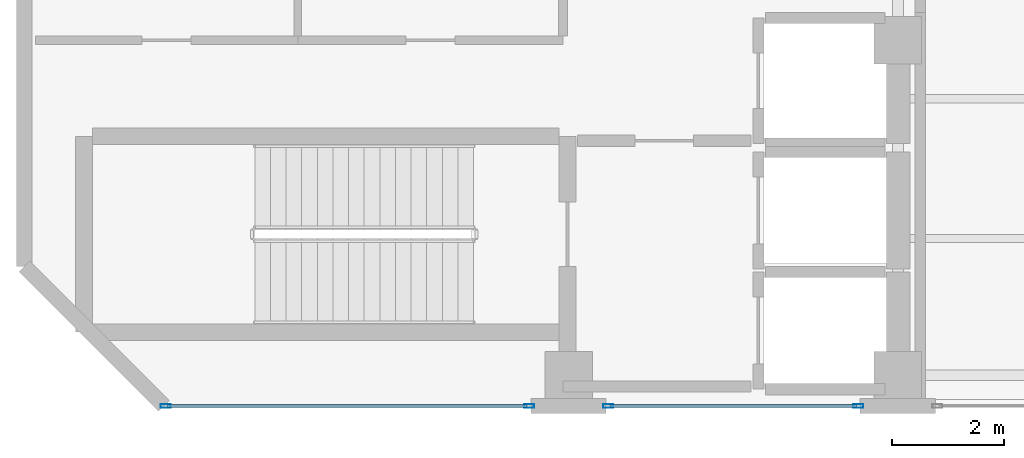
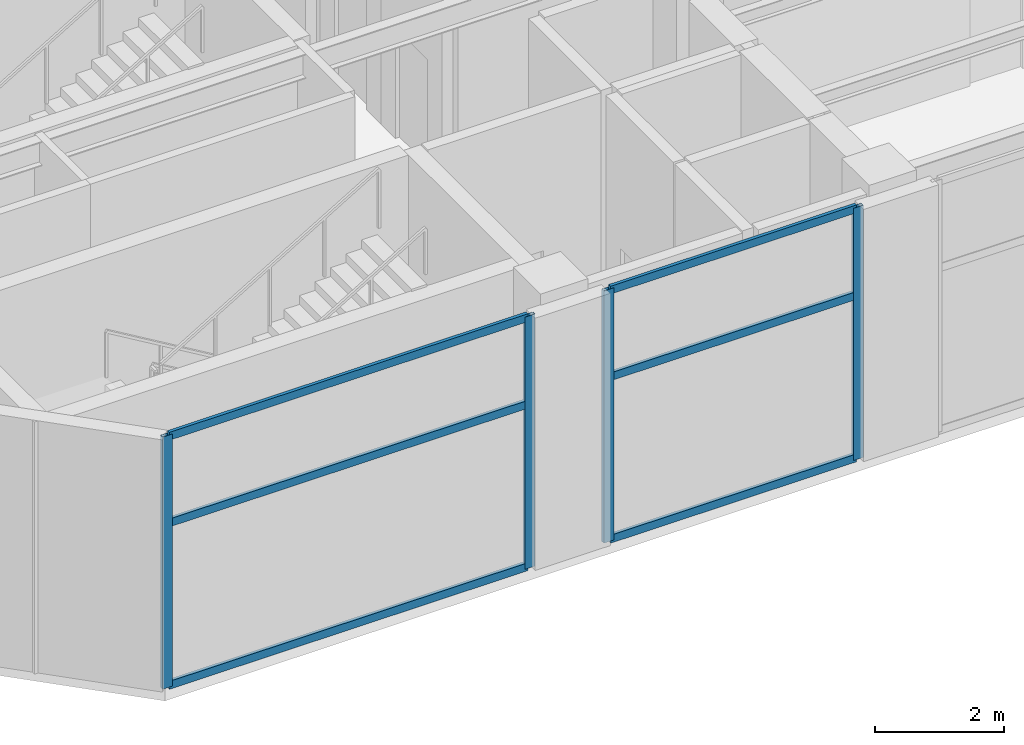
# One storey, part 2 of 14: 10 members, 2 elements without a shape of their own.
"""IFC4 building model written with IfcOpenShell, lengths in metres."""

from ifc_helpers import new_model, si_unit, direction, frame, origin, origin_2d, place, context, subcontext, project, spatial, hollow_rectangle, extrude, material, layer, layer_set, material_profile, profile_set, type_object, element, aggregate, save


model = new_model("IFC4")

# Units and contexts
model_context = context("Model", 3, precision=1e-05, world=origin(), true_north=direction((0.0, 1.0)))
body_context = subcontext(model_context, "Body", "Model", "MODEL_VIEW")
ifc_project = project(units=[si_unit("LENGTHUNIT", "METRE"), si_unit("AREAUNIT", "SQUARE_METRE"), si_unit("VOLUMEUNIT", "CUBIC_METRE"), si_unit("PLANEANGLEUNIT", "RADIAN"), si_unit("MASSUNIT", "GRAM", prefix="KILO")], contexts=[model_context])

# Site, building, storey
site_placement = place(None, origin())
site = spatial("IfcSite", under=ifc_project, at=site_placement, CompositionType="ELEMENT")
building_placement = place(site_placement, origin())
building = spatial("IfcBuilding", under=site, at=building_placement, Name="Mawjaban Terraces University", CompositionType="ELEMENT")
storey_placement = place(building_placement, frame((0.0, 0.0, 243.199951171875)))
storey = spatial("IfcBuildingStorey", under=building, at=storey_placement, Name="L59", CompositionType="ELEMENT", Elevation=243.199951171875)

# Curtain wall, members
ifc_material_1 = material(Name="Anodised aluminium 6063-T6 and solar-control low-E glass", Category="aluminium")
ifc_layer = layer(ifc_material_1, 0.18994140625)
ifc_layer_set = layer_set([ifc_layer], Name="Anodised aluminium 6063-T6 and solar-control low-E glass")
curtain_wall_type = type_object("IfcCurtainWallType", Name="CWSystem_05_SkyLobby", PredefinedType="NOTDEFINED", material=ifc_layer_set)
curtain_wall_1_placement = place(storey_placement, origin())
curtain_wall_1 = element("IfcCurtainWall", 1, at=curtain_wall_1_placement, inside=storey, type_object=curtain_wall_type, Name="L59 Curtain Wall CW-05 Run 1.1", PredefinedType="NOTDEFINED")
ifc_material_2 = material(Name="Anodised aluminium 6063-T6", Category="aluminium")
ifc_material_profile_1 = material_profile(ifc_material_2, hollow_rectangle(XDim=0.06494140625, YDim=0.179931640625, WallThickness=0.00390625, at=origin_2d()), Name="ALU180X65X4")
ifc_profile_set_1 = profile_set([ifc_material_profile_1], Name="Anodised aluminium 6063-T6")
member_type_1 = type_object("IfcMemberType", Name="Mullion_CW-05", PredefinedType="MULLION", material=ifc_profile_set_1)
member_1_placement = place(storey_placement, frame((24.532470703125, 0.0, 0.0), z_axis=(0.0, 0.0, 1.0), x_axis=(0.0, 1.0, 0.0)))
member_1 = element("IfcMember", 2, at=member_1_placement, type_object=member_type_1, Name="CW-05 mullion 1", PredefinedType="MULLION", context=body_context, shape_type="SweptSolid", body=[
    extrude(hollow_rectangle(XDim=0.06494140625, YDim=0.179931640625, WallThickness=0.00390625, at=origin_2d()), origin(), (0.0, 0.0, 1.0), 4.7900390625),
])
member_2_placement = place(storey_placement, frame((31.04248046875, 0.0, 0.0), z_axis=(0.0, 0.0, 1.0), x_axis=(0.0, 1.0, 0.0)))
member_2 = element("IfcMember", 3, at=member_2_placement, type_object=member_type_1, Name="CW-05 mullion 2", PredefinedType="MULLION", context=body_context, shape_type="SweptSolid", body=[
    extrude(hollow_rectangle(XDim=0.06494140625, YDim=0.179931640625, WallThickness=0.00390625, at=origin_2d()), origin(), (0.0, 0.0, 1.0), 4.7900390625),
])

curtain_wall_2_placement = place(storey_placement, origin())
curtain_wall_2 = element("IfcCurtainWall", 4, at=curtain_wall_2_placement, inside=storey, type_object=curtain_wall_type, Name="L59 Curtain Wall CW-05 Run 1.2", PredefinedType="NOTDEFINED")
member_3_placement = place(storey_placement, frame((32.45751953125, 0.0, 0.0), z_axis=(0.0, 0.0, 1.0), x_axis=(0.0, 1.0, 0.0)))
member_3 = element("IfcMember", 5, at=member_3_placement, type_object=member_type_1, Name="CW-05 mullion 1", PredefinedType="MULLION", context=body_context, shape_type="SweptSolid", body=[
    extrude(hollow_rectangle(XDim=0.06494140625, YDim=0.179931640625, WallThickness=0.00390625, at=origin_2d()), origin(), (0.0, 0.0, 1.0), 4.7900390625),
])
member_4_placement = place(storey_placement, frame((36.9423828125, 0.0, 0.0), z_axis=(0.0, 0.0, 1.0), x_axis=(0.0, 1.0, 0.0)))
member_4 = element("IfcMember", 6, at=member_4_placement, type_object=member_type_1, Name="CW-05 mullion 2", PredefinedType="MULLION", context=body_context, shape_type="SweptSolid", body=[
    extrude(hollow_rectangle(XDim=0.06494140625, YDim=0.179931640625, WallThickness=0.00390625, at=origin_2d()), origin(), (0.0, 0.0, 1.0), 4.7900390625),
])

# Member
ifc_material_profile_2 = material_profile(ifc_material_2, hollow_rectangle(XDim=0.06005859375, YDim=0.14990234375, WallThickness=0.00390625, at=origin_2d()), Name="ALU150X60X4")
ifc_profile_set_2 = profile_set([ifc_material_profile_2], Name="Anodised aluminium 6063-T6")
member_type_2 = type_object("IfcMemberType", Name="Transom_CW-05", PredefinedType="NOTDEFINED", material=ifc_profile_set_2)
member_5_placement = place(storey_placement, frame((24.56494140625, 0.0, 0.030029296875), z_axis=(1.0, 0.0, 0.0), x_axis=(0.0, 1.0, 0.0)))
member_5 = element("IfcMember", 7, at=member_5_placement, type_object=member_type_2, Name="CW-05 transom 1.1", ObjectType="TRANSOM", PredefinedType="USERDEFINED", context=body_context, shape_type="SweptSolid", body=[
    extrude(hollow_rectangle(XDim=0.06005859375, YDim=0.14990234375, WallThickness=0.00390625, at=origin_2d()), origin(), (0.0, 0.0, 1.0), 6.445068359375),
])

member_6_placement = place(storey_placement, frame((24.56494140625, 0.0, 3.114013671875), z_axis=(1.0, 0.0, 0.0), x_axis=(0.0, 1.0, 0.0)))
member_6 = element("IfcMember", 8, at=member_6_placement, type_object=member_type_2, Name="CW-05 transom 1.2", ObjectType="TRANSOM", PredefinedType="USERDEFINED", context=body_context, shape_type="SweptSolid", body=[
    extrude(hollow_rectangle(XDim=0.06005859375, YDim=0.14990234375, WallThickness=0.00390625, at=origin_2d()), origin(), (0.0, 0.0, 1.0), 6.445068359375),
])

member_7_placement = place(storey_placement, frame((24.56494140625, 0.0, 4.760009765625), z_axis=(1.0, 0.0, 0.0), x_axis=(0.0, 1.0, 0.0)))
member_7 = element("IfcMember", 9, at=member_7_placement, type_object=member_type_2, Name="CW-05 transom 1.3", ObjectType="TRANSOM", PredefinedType="USERDEFINED", context=body_context, shape_type="SweptSolid", body=[
    extrude(hollow_rectangle(XDim=0.06005859375, YDim=0.14990234375, WallThickness=0.00390625, at=origin_2d()), origin(), (0.0, 0.0, 1.0), 6.445068359375),
])

aggregate(curtain_wall_1, [member_1, member_2, member_5, member_6, member_7])

member_8_placement = place(storey_placement, frame((32.489990234375, 0.0, 0.030029296875), z_axis=(1.0, 0.0, 0.0), x_axis=(0.0, 1.0, 0.0)))
member_8 = element("IfcMember", 10, at=member_8_placement, type_object=member_type_2, Name="CW-05 transom 1.1", ObjectType="TRANSOM", PredefinedType="USERDEFINED", context=body_context, shape_type="SweptSolid", body=[
    extrude(hollow_rectangle(XDim=0.06005859375, YDim=0.14990234375, WallThickness=0.00390625, at=origin_2d()), origin(), (0.0, 0.0, 1.0), 4.419921875),
])

member_9_placement = place(storey_placement, frame((32.489990234375, 0.0, 3.114013671875), z_axis=(1.0, 0.0, 0.0), x_axis=(0.0, 1.0, 0.0)))
member_9 = element("IfcMember", 11, at=member_9_placement, type_object=member_type_2, Name="CW-05 transom 1.2", ObjectType="TRANSOM", PredefinedType="USERDEFINED", context=body_context, shape_type="SweptSolid", body=[
    extrude(hollow_rectangle(XDim=0.06005859375, YDim=0.14990234375, WallThickness=0.00390625, at=origin_2d()), origin(), (0.0, 0.0, 1.0), 4.419921875),
])

member_10_placement = place(storey_placement, frame((32.489990234375, 0.0, 4.760009765625), z_axis=(1.0, 0.0, 0.0), x_axis=(0.0, 1.0, 0.0)))
member_10 = element("IfcMember", 12, at=member_10_placement, type_object=member_type_2, Name="CW-05 transom 1.3", ObjectType="TRANSOM", PredefinedType="USERDEFINED", context=body_context, shape_type="SweptSolid", body=[
    extrude(hollow_rectangle(XDim=0.06005859375, YDim=0.14990234375, WallThickness=0.00390625, at=origin_2d()), origin(), (0.0, 0.0, 1.0), 4.419921875),
])

aggregate(curtain_wall_2, [member_3, member_4, member_8, member_9, member_10])

save(model, "model.ifc")
